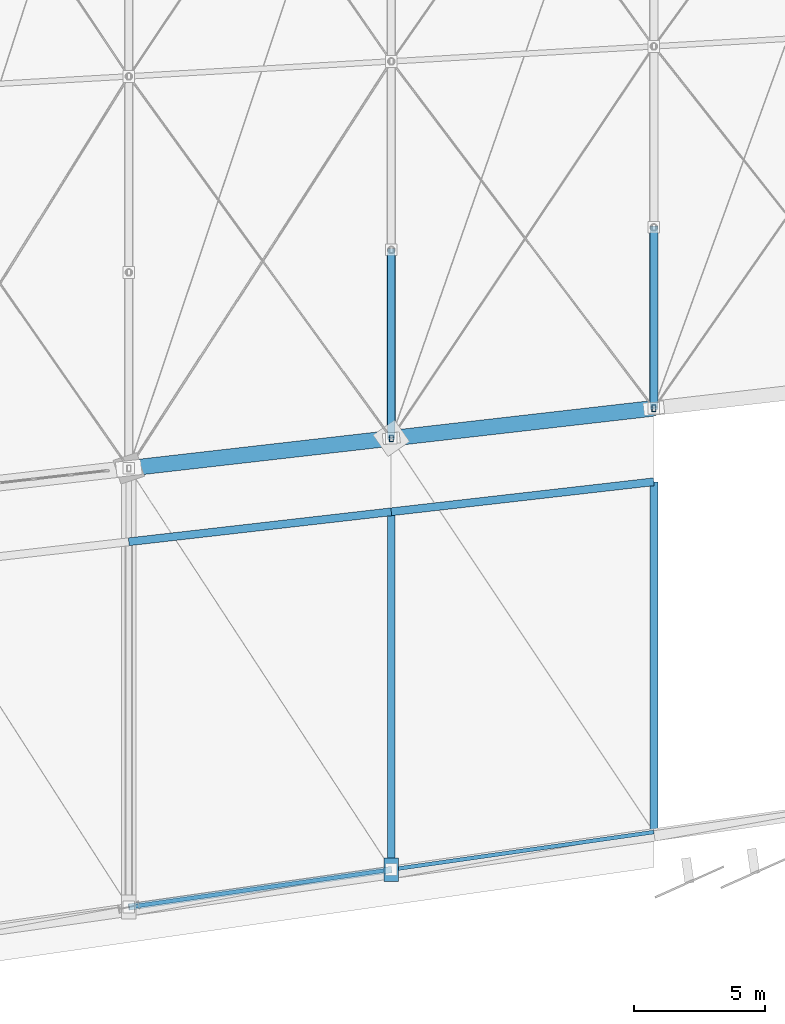
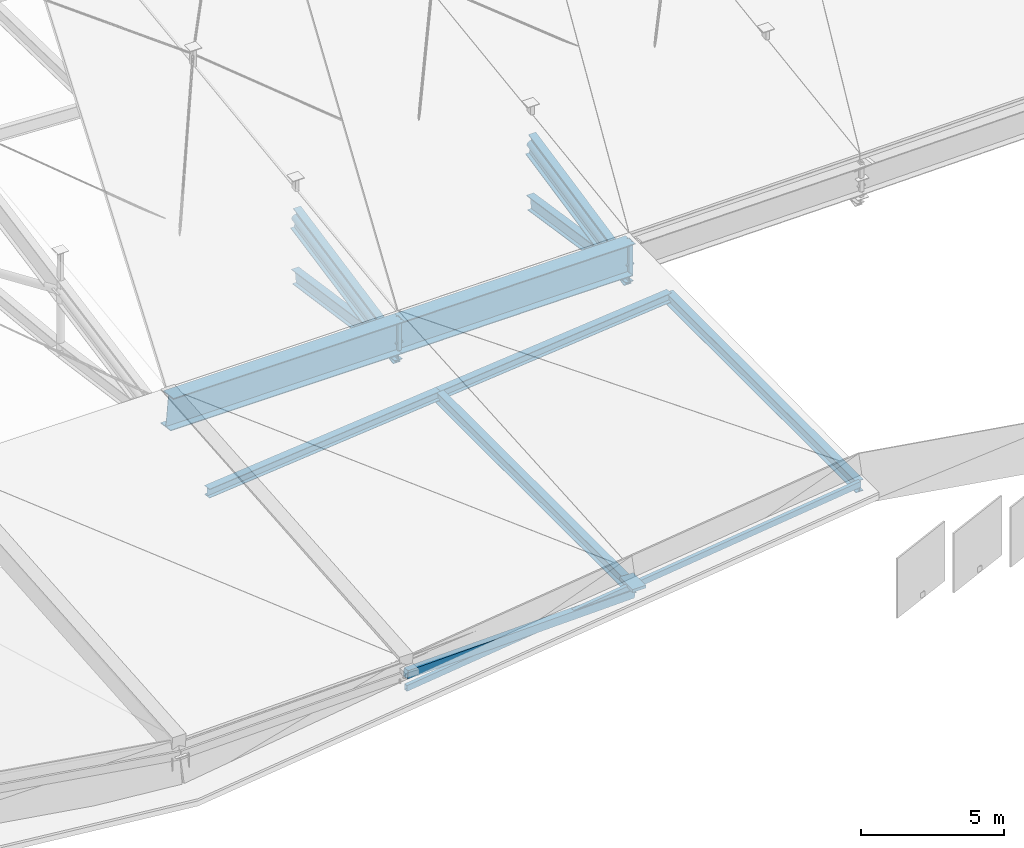
# One storey, part 20 of 68: 13 beams, 5 members.
"""IFC4 building model written with IfcOpenShell, lengths in metres."""

from ifc_helpers import new_model, si_unit, direction, frame, origin, origin_2d, place, context, subcontext, project, spatial, rectangle, hollow_rectangle, hollow_circle, i_section, extrude, material, material_profile, profile_set, type_object, element, save


model = new_model("IFC4")

# Units and contexts
model_context = context("Model", 3, precision=1e-05, world=origin(), true_north=direction((0.0, 1.0)))
body_context = subcontext(model_context, "Body", "Model", "MODEL_VIEW")
ifc_project = project(units=[si_unit("LENGTHUNIT", "METRE"), si_unit("AREAUNIT", "SQUARE_METRE"), si_unit("VOLUMEUNIT", "CUBIC_METRE"), si_unit("PLANEANGLEUNIT", "RADIAN"), si_unit("MASSUNIT", "GRAM", prefix="KILO")], contexts=[model_context])

# Site, building, storey
site_placement = place(None, origin())
site = spatial("IfcSite", under=ifc_project, at=site_placement, CompositionType="ELEMENT")
building_placement = place(site_placement, origin())
building = spatial("IfcBuilding", under=site, at=building_placement, Name="Sohan Crest Arena", CompositionType="ELEMENT")
storey_placement = place(building_placement, frame((0.0, 0.0, 27.0)))
storey = spatial("IfcBuildingStorey", under=building, at=storey_placement, Name="RF", CompositionType="ELEMENT", Elevation=27.0)

# Beams
ifc_material_1 = material(Name="Steel S355", Category="steel")
ifc_material_profile_1 = material_profile(ifc_material_1, i_section(OverallWidth=0.300048828125, OverallDepth=0.389892578125, WebThickness=0.010986328125, FlangeThickness=0.01904296875, at=origin_2d()), Name="HEA 400")
ifc_profile_set_1 = profile_set([ifc_material_profile_1], Name="Steel S355")
beam_type_1 = type_object("IfcBeamType", Name="STR-BM-B09", PredefinedType="BEAM", material=ifc_profile_set_1)
for number, where, z_axis, x_axis, name in (
    (1, (108.0, 45.343017578125, -0.4150390625), (0.99353032697, 0.113567114035, 0.0), (-0.113567114035, 0.99353032697, 0.0), "Structural beam RG-RF-1906"),
    (2, (118.0, 46.486083984375, -0.4150390625), (0.993533063564, 0.113543170668, 0.0), (-0.113543170668, 0.993533063564, 0.0), "Structural beam RG-RF-1909"),
):
    element("IfcBeam", number, at=place(storey_placement, frame(where, z_axis=z_axis, x_axis=x_axis)), inside=storey, type_object=beam_type_1, Name=name, PredefinedType="BEAM", context=body_context, shape_type="SweptSolid", body=[
        extrude(i_section(OverallWidth=0.300048828125, OverallDepth=0.389892578125, WebThickness=0.010986328125, FlangeThickness=0.01904296875, at=origin_2d()), origin(), (0.0, 0.0, 1.0), 10.065185546875),
    ])
ifc_material_profile_2 = material_profile(ifc_material_1, i_section(OverallWidth=0.300048828125, OverallDepth=0.489990234375, WebThickness=0.011962890625, FlangeThickness=0.02294921875, at=origin_2d()), Name="HEA 500")
ifc_profile_set_2 = profile_set([ifc_material_profile_2], Name="Steel S355")
beam_type_2 = type_object("IfcBeamType", Name="STR-BM-B10", PredefinedType="BEAM", material=ifc_profile_set_2)
beam_1_placement = place(storey_placement, frame((118.0, 46.486083984375, -0.465087890625), z_axis=(0.0, -1.0, 0.0), x_axis=(1.0, 0.0, 0.0)))
element("IfcBeam", 3, at=beam_1_placement, inside=storey, type_object=beam_type_2, Name="Structural beam RG-RF-1907", PredefinedType="BEAM", context=body_context, shape_type="SweptSolid", body=[
    extrude(i_section(OverallWidth=0.300048828125, OverallDepth=0.489990234375, WebThickness=0.011962890625, FlangeThickness=0.02294921875, at=origin_2d()), origin(), (0.0, 0.0, 1.0), 13.629150390625),
])
beam_2_placement = place(storey_placement, frame((128.0, 47.62890625, -0.465087890625), z_axis=(0.0, -1.0, 0.0), x_axis=(1.0, 0.0, 0.0)))
element("IfcBeam", 4, at=beam_2_placement, inside=storey, type_object=beam_type_2, Name="Structural beam RG-RF-1910", PredefinedType="BEAM", context=body_context, shape_type="SweptSolid", body=[
    extrude(i_section(OverallWidth=0.300048828125, OverallDepth=0.489990234375, WebThickness=0.011962890625, FlangeThickness=0.02294921875, at=origin_2d()), origin(), (0.0, 0.0, 1.0), 13.343017578125),
])
ifc_material_profile_3 = material_profile(ifc_material_1, i_section(OverallWidth=0.300048828125, OverallDepth=0.60009765625, WebThickness=0.015380859375, FlangeThickness=0.030029296875, at=origin_2d()), Name="HEB 600")
ifc_profile_set_3 = profile_set([ifc_material_profile_3], Name="Steel S355")
beam_type_3 = type_object("IfcBeamType", Name="STR-BM-B15", PredefinedType="BEAM", material=ifc_profile_set_3)
beam_3_placement = place(storey_placement, frame((118.0, 49.285888671875, -0.363037109375), z_axis=(0.0, 0.98947223168, -0.144722848006), x_axis=(-1.0, 0.0, 0.0)))
element("IfcBeam", 5, at=beam_3_placement, inside=storey, type_object=beam_type_3, Name="Structural beam RAB-RF-3049", PredefinedType="BEAM", context=body_context, shape_type="SweptSolid", body=[
    extrude(i_section(OverallWidth=0.300048828125, OverallDepth=0.60009765625, WebThickness=0.015380859375, FlangeThickness=0.030029296875, at=origin_2d()), origin(), (0.0, 0.0, 1.0), 7.255615234375),
])
beam_4_placement = place(storey_placement, frame((128.0, 50.428955078125, -1.222900390625), z_axis=(0.0, 0.988595277469, -0.150596737565), x_axis=(-1.0, 0.0, 0.0)))
element("IfcBeam", 6, at=beam_4_placement, inside=storey, type_object=beam_type_3, Name="Structural beam RAB-RF-3065", PredefinedType="BEAM", context=body_context, shape_type="SweptSolid", body=[
    extrude(i_section(OverallWidth=0.300048828125, OverallDepth=0.60009765625, WebThickness=0.015380859375, FlangeThickness=0.030029296875, at=origin_2d()), origin(), (0.0, 0.0, 1.0), 6.97265625),
])
ifc_material_profile_4 = material_profile(ifc_material_1, i_section(OverallWidth=0.300048828125, OverallDepth=1.0, WebThickness=0.01904296875, FlangeThickness=0.035888671875, at=origin_2d()), Name="HEB 1000")
ifc_profile_set_4 = profile_set([ifc_material_profile_4], Name="Steel S355")
beam_type_4 = type_object("IfcBeamType", Name="STR-BM-B19", PredefinedType="BEAM", material=ifc_profile_set_4)
beam_5_placement = place(storey_placement, frame((118.0, 49.285888671875, -0.363037109375), z_axis=(0.0, 0.980363374285, 0.19719952931), x_axis=(-1.0, 0.0, 0.0)))
element("IfcBeam", 7, at=beam_5_placement, inside=storey, type_object=beam_type_4, Name="Structural beam RA-RF-3048", PredefinedType="BEAM", context=body_context, shape_type="SweptSolid", body=[
    extrude(i_section(OverallWidth=0.300048828125, OverallDepth=1.0, WebThickness=0.01904296875, FlangeThickness=0.035888671875, at=origin_2d()), origin(), (0.0, 0.0, 1.0), 7.322998046875),
])
beam_6_placement = place(storey_placement, frame((128.0, 50.428955078125, -1.222900390625), z_axis=(0.0, 0.978758929211, 0.205014532385), x_axis=(-1.0, 0.0, 0.0)))
element("IfcBeam", 8, at=beam_6_placement, inside=storey, type_object=beam_type_4, Name="Structural beam RA-RF-3064", PredefinedType="BEAM", context=body_context, shape_type="SweptSolid", body=[
    extrude(i_section(OverallWidth=0.300048828125, OverallDepth=1.0, WebThickness=0.01904296875, FlangeThickness=0.035888671875, at=origin_2d()), origin(), (0.0, 0.0, 1.0), 7.042724609375),
])
ifc_material_profile_5 = material_profile(ifc_material_1, i_section(OverallWidth=0.60009765625, OverallDepth=1.35009765625, WebThickness=0.02392578125, FlangeThickness=0.035888671875, at=origin_2d()), Name="PG 1350x600x24x36")
ifc_profile_set_5 = profile_set([ifc_material_profile_5], Name="Steel S355")
beam_type_5 = type_object("IfcBeamType", Name="STR-BM-RB02", PredefinedType="USERDEFINED", material=ifc_profile_set_5)
beam_7_placement = place(storey_placement, frame((108.0, 48.14306640625, 1.343017578125), z_axis=(0.989619635692, 0.113095935417, -0.088669532788), x_axis=(-0.113543170668, 0.993533063564, 0.0)))
element("IfcBeam", 9, at=beam_7_placement, inside=storey, type_object=beam_type_5, Name="Rising compression ring beam segment RB-14", ObjectType="RING BEAM", PredefinedType="USERDEFINED", context=body_context, shape_type="SweptSolid", body=[
    extrude(i_section(OverallWidth=0.60009765625, OverallDepth=1.35009765625, WebThickness=0.02392578125, FlangeThickness=0.035888671875, at=origin_2d()), origin(), (0.0, 0.0, 1.0), 10.10498046875),
])
beam_8_placement = place(storey_placement, frame((118.0, 49.285888671875, 0.447021484375), z_axis=(0.989922479666, 0.11315471313, -0.085143967184), x_axis=(-0.113567114035, 0.99353032697, 0.0)))
element("IfcBeam", 10, at=beam_8_placement, inside=storey, type_object=beam_type_5, Name="Rising compression ring beam segment RB-15", ObjectType="RING BEAM", PredefinedType="USERDEFINED", context=body_context, shape_type="SweptSolid", body=[
    extrude(i_section(OverallWidth=0.60009765625, OverallDepth=1.35009765625, WebThickness=0.02392578125, FlangeThickness=0.035888671875, at=origin_2d()), origin(), (0.0, 0.0, 1.0), 10.101806640625),
])
ifc_material_2 = material(Name="Precast concrete C50/60", Category="concrete")
ifc_material_profile_6 = material_profile(ifc_material_2, rectangle(XDim=0.550048828125, YDim=0.89990234375, at=origin_2d()), Name="RAKER 550x900")
ifc_profile_set_6 = profile_set([ifc_material_profile_6], Name="Precast concrete C50/60")
beam_type_6 = type_object("IfcBeamType", Name="STR-BM-RK01", PredefinedType="USERDEFINED", material=ifc_profile_set_6)
beam_9_placement = place(storey_placement, frame((118.0, 32.85693359375, -0.282958984375), z_axis=(0.0, 0.0, 1.0), x_axis=(1.0, 0.0, 0.0)))
element("IfcBeam", 11, at=beam_9_placement, inside=storey, type_object=beam_type_6, Name="Perimeter cantilever nose bracket RKC-15", ObjectType="RAKER", PredefinedType="USERDEFINED", context=body_context, shape_type="SweptSolid", body=[
    extrude(rectangle(XDim=0.550048828125, YDim=0.89990234375, at=origin_2d()), origin(), (0.0, 0.0, 1.0), 0.123046875),
])
ifc_material_profile_7 = material_profile(ifc_material_1, hollow_rectangle(XDim=0.14990234375, YDim=0.25, WallThickness=0.010009765625, at=origin_2d()), Name="RHS 250x150x10")
ifc_profile_set_7 = profile_set([ifc_material_profile_7], Name="Steel S355")
beam_type_7 = type_object("IfcBeamType", Name="STR-BM-SP02", PredefinedType="SPANDREL", material=ifc_profile_set_7)
for number, where, z_axis, x_axis, name in (
    (12, (108.0, 31.428955078125, -0.344970703125), (0.989957709412, 0.141363834042, 0.0), (-0.141363834042, 0.989957709412, 0.0), "Structural beam SP-RF-1905"),
    (13, (118.0, 32.85693359375, -0.344970703125), (0.989944175879, 0.141458575718, 0.0), (-0.141458575718, 0.989944175879, 0.0), "Structural beam SP-RF-1908"),
):
    element("IfcBeam", number, at=place(storey_placement, frame(where, z_axis=z_axis, x_axis=x_axis)), inside=storey, type_object=beam_type_7, Name=name, PredefinedType="SPANDREL", context=body_context, shape_type="SweptSolid", body=[
        extrude(hollow_rectangle(XDim=0.14990234375, YDim=0.25, WallThickness=0.010009765625, at=origin_2d()), origin(), (0.0, 0.0, 1.0), 10.1015625),
    ])

# Members
ifc_material_profile_8 = material_profile(ifc_material_1, hollow_circle(Radius=0.161865234375, WallThickness=0.012451171875, at=origin_2d()), Name="CHS 323.9x12.5")
ifc_profile_set_8 = profile_set([ifc_material_profile_8], Name="Steel S355")
member_type_1 = type_object("IfcMemberType", Name="STR-MEM-BR03", PredefinedType="BRACE", material=ifc_profile_set_8)
member_1_placement = place(storey_placement, frame((118.0, 49.285888671875, -0.363037109375), z_axis=(0.0, 0.980363374285, 0.19719952931), x_axis=(-1.0, 0.0, 0.0)))
element("IfcMember", 14, at=member_1_placement, inside=storey, type_object=member_type_1, Name="Lenticular roof truss web diagonal TD-118", PredefinedType="BRACE", context=body_context, shape_type="SweptSolid", body=[
    extrude(hollow_circle(Radius=0.161865234375, WallThickness=0.012451171875, at=origin_2d()), origin(), (0.0, 0.0, 1.0), 7.322998046875),
])
member_2_placement = place(storey_placement, frame((128.0, 50.428955078125, -1.222900390625), z_axis=(0.0, 0.978758929211, 0.205014532385), x_axis=(-1.0, 0.0, 0.0)))
element("IfcMember", 15, at=member_2_placement, inside=storey, type_object=member_type_1, Name="Lenticular roof truss web diagonal TD-142", PredefinedType="BRACE", context=body_context, shape_type="SweptSolid", body=[
    extrude(hollow_circle(Radius=0.161865234375, WallThickness=0.012451171875, at=origin_2d()), origin(), (0.0, 0.0, 1.0), 7.042724609375),
])
ifc_material_profile_9 = material_profile(ifc_material_1, hollow_rectangle(XDim=0.14990234375, YDim=0.25, WallThickness=0.010009765625, at=origin_2d()), Name="RHS 250x150x10")
ifc_profile_set_9 = profile_set([ifc_material_profile_9], Name="Steel S355")
member_type_2 = type_object("IfcMemberType", Name="STR-MEM-CH02", PredefinedType="CHORD", material=ifc_profile_set_9)
for number, where, z_axis, x_axis, name in (
    (16, (118.0, 49.285888671875, -0.363037109375), (0.0, 0.0, 1.0), (1.0, 0.0, 0.0), "Roof deck bearing saddle chord RSP-109"),
    (17, (128.0, 50.428955078125, -1.222900390625), (0.0, 0.0, 1.0), (1.0, 0.0, 0.0), "Roof deck bearing saddle chord RSP-133"),
):
    element("IfcMember", number, at=place(storey_placement, frame(where, z_axis=z_axis, x_axis=x_axis)), inside=storey, type_object=member_type_2, Name=name, PredefinedType="CHORD", context=body_context, shape_type="SweptSolid", body=[
        extrude(hollow_rectangle(XDim=0.14990234375, YDim=0.25, WallThickness=0.010009765625, at=origin_2d()), origin(), (0.0, 0.0, 1.0), 1.489990234375),
    ])
ifc_material_profile_10 = material_profile(ifc_material_1, hollow_rectangle(XDim=0.25, YDim=0.35009765625, WallThickness=0.012451171875, at=origin_2d()), Name="RHS 350x250x12.5")
ifc_profile_set_10 = profile_set([ifc_material_profile_10], Name="Steel S355")
member_type_3 = type_object("IfcMemberType", Name="STR-MEM-CH04", PredefinedType="CHORD", material=ifc_profile_set_10)
member_3_placement = place(storey_placement, frame((108.0, 31.428955078125, 0.262939453125), z_axis=(0.986086214458, 0.14081099288, -0.088352939625), x_axis=(-0.141363834042, 0.989957709412, 0.0)))
element("IfcMember", 18, at=member_3_placement, inside=storey, type_object=member_type_3, Name="Outer roof-edge truss chord ORB-14", PredefinedType="CHORD", context=body_context, shape_type="SweptSolid", body=[
    extrude(hollow_rectangle(XDim=0.25, YDim=0.35009765625, WallThickness=0.012451171875, at=origin_2d()), origin(), (0.0, 0.0, 1.0), 10.14111328125),
])

save(model, "model.ifc")
